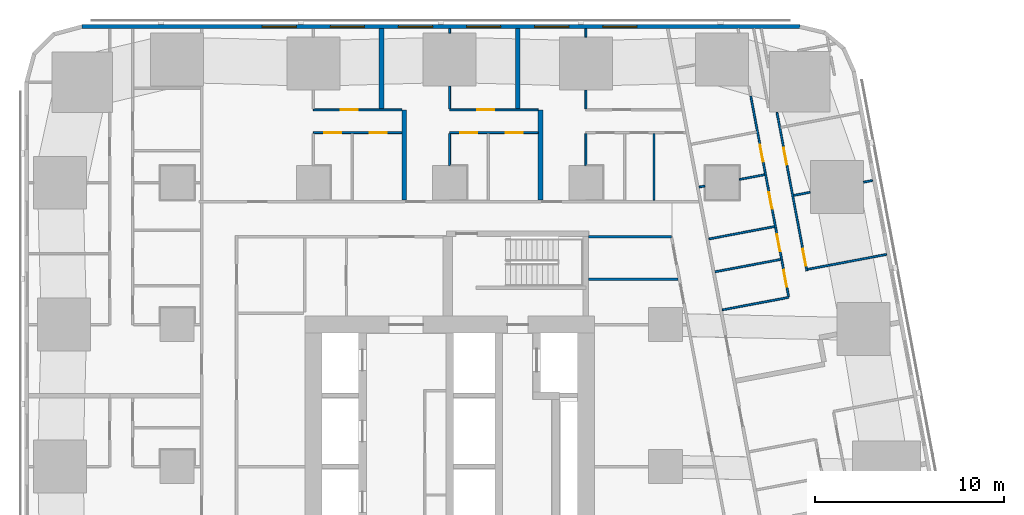
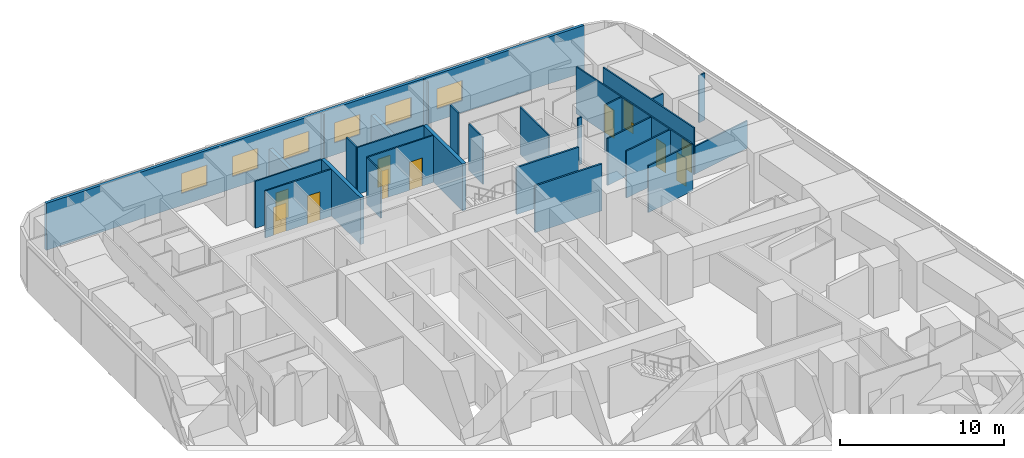
# One storey, part 9 of 15: 28 walls, 12 doors, 6 windows, 18 openings.
"""IFC4 building model written with IfcOpenShell, lengths in metres."""

from ifc_helpers import new_model, si_unit, direction, frame, frame_2d, origin, place, context, subcontext, project, spatial, rectangle, extrude, material, layer, layer_set, type_object, element, fill, save


model = new_model("IFC4")

# Units and contexts
model_context = context("Model", 3, precision=1e-05, world=origin(), true_north=direction((0.0, 1.0)))
body_context = subcontext(model_context, "Body", "Model", "MODEL_VIEW")
ifc_project = project(units=[si_unit("LENGTHUNIT", "METRE"), si_unit("AREAUNIT", "SQUARE_METRE"), si_unit("VOLUMEUNIT", "CUBIC_METRE"), si_unit("PLANEANGLEUNIT", "RADIAN"), si_unit("MASSUNIT", "GRAM", prefix="KILO")], contexts=[model_context])

# Site, building, storey
site_placement = place(None, origin())
site = spatial("IfcSite", under=ifc_project, at=site_placement, CompositionType="ELEMENT")
building_placement = place(site_placement, origin())
building = spatial("IfcBuilding", under=site, at=building_placement, Name="Sheger Commons Tower", CompositionType="ELEMENT")
storey_placement = place(building_placement, frame((0.0, 0.0, 65.0)))
storey = spatial("IfcBuildingStorey", under=building, at=storey_placement, Name="L16", CompositionType="ELEMENT", Elevation=65.0)

# Walls
ifc_material_1 = material(Name="Dense concrete block masonry, plastered both sides (separating wall between flats)", Category="masonry")
ifc_layer_1 = layer(ifc_material_1, 0.25)
ifc_layer_set_1 = layer_set([ifc_layer_1], Name="DEMISING WALL 250")
wall_type_1 = type_object("IfcWallType", Name="DEMISING WALL 250", PredefinedType="SOLIDWALL", material=ifc_layer_set_1)
wall_1_placement = place(storey_placement, frame((18.0, 41.39990234375, 0.0), z_axis=(0.0, 0.0, 1.0), x_axis=(0.0, 1.0, 0.0)))
element("IfcWall", 1, at=wall_1_placement, inside=storey, type_object=wall_type_1, Name="Demising wall L16", PredefinedType="SOLIDWALL", context=body_context, shape_type="SweptSolid", body=[
    extrude(rectangle(XDim=4.25, YDim=0.25, at=frame_2d((2.125, 0.0))), origin(), (0.0, 0.0, 1.0), 2.050048828125),
])
wall_2_placement = place(storey_placement, frame((19.198974609375, 36.574951171875, 0.0), z_axis=(0.0, 0.0, 1.0), x_axis=(0.0, 1.0, 0.0)))
element("IfcWall", 2, at=wall_2_placement, inside=storey, type_object=wall_type_1, Name="Demising wall L16", PredefinedType="SOLIDWALL", context=body_context, shape_type="SweptSolid", body=[
    extrude(rectangle(XDim=4.775146484375, YDim=0.25, at=frame_2d((2.3876953125, 0.0))), origin(), (0.0, 0.0, 1.0), 3.5),
])
wall_3_placement = place(storey_placement, frame((25.199951171875, 41.39990234375, 0.0), z_axis=(0.0, 0.0, 1.0), x_axis=(0.0, 1.0, 0.0)))
element("IfcWall", 3, at=wall_3_placement, inside=storey, type_object=wall_type_1, Name="Demising wall L16", PredefinedType="SOLIDWALL", context=body_context, shape_type="SweptSolid", body=[
    extrude(rectangle(XDim=4.25, YDim=0.25, at=frame_2d((2.125, 0.0))), origin(), (0.0, 0.0, 1.0), 2.050048828125),
])
wall_4_placement = place(storey_placement, frame((26.39892578125, 36.574951171875, 0.0), z_axis=(0.0, 0.0, 1.0), x_axis=(0.0, 1.0, 0.0)))
element("IfcWall", 4, at=wall_4_placement, inside=storey, type_object=wall_type_1, Name="Demising wall L16", PredefinedType="SOLIDWALL", context=body_context, shape_type="SweptSolid", body=[
    extrude(rectangle(XDim=4.775146484375, YDim=0.25, at=frame_2d((2.3876953125, 0.0))), origin(), (0.0, 0.0, 1.0), 3.5),
])

# Wall, openings, windows
ifc_material_2 = material(Name="Rendered concrete block masonry, dark grey", Category="masonry")
ifc_layer_2 = layer(ifc_material_2, 0.199951171875)
ifc_layer_set_2 = layer_set([ifc_layer_2], Name="FACADE WALL 200")
wall_type_2 = type_object("IfcWallType", Name="FACADE WALL 200", PredefinedType="SOLIDWALL", material=ifc_layer_set_2)
wall_5_placement = place(storey_placement, frame((40.10595703125, 45.75, 0.0), z_axis=(0.0, 0.0, 1.0), x_axis=(-1.0, 0.0, 0.0)))
wall_5 = element("IfcWall", 5, at=wall_5_placement, inside=storey, type_object=wall_type_2, Name="Facade wall L16", PredefinedType="SOLIDWALL", context=body_context, shape_type="SweptSolid", body=[
    extrude(rectangle(XDim=37.94287109375, YDim=0.199951171875, at=frame_2d((18.971435546875, 0.0))), origin(), (0.0, 0.0, 1.0), 3.5),
])
opening_1_placement = place(wall_5_placement, frame((8.60595703125, 0.0, 0.89990234375)))
opening_1 = element("IfcOpeningElement", 6, at=opening_1_placement, cuts=wall_5, Name="Opening W2", PredefinedType="OPENING", context=body_context, shape_type="SweptSolid", body=[
    extrude(rectangle(XDim=1.800048828125, YDim=1.5, at=frame_2d((0.89990234375, 0.75))), frame((0.0, 0.10986328125, 0.0), z_axis=(0.0, -1.0, 0.0), x_axis=(1.0, 0.0, 0.0)), (0.0, 0.0, 1.0), 0.219970703125),
])
opening_2_placement = place(wall_5_placement, frame((12.2060546875, 0.0, 0.89990234375)))
opening_2 = element("IfcOpeningElement", 7, at=opening_2_placement, cuts=wall_5, Name="Opening W2", PredefinedType="OPENING", context=body_context, shape_type="SweptSolid", body=[
    extrude(rectangle(XDim=1.800048828125, YDim=1.5, at=frame_2d((0.89990234375, 0.75))), frame((0.0, 0.10986328125, 0.0), z_axis=(0.0, -1.0, 0.0), x_axis=(1.0, 0.0, 0.0)), (0.0, 0.0, 1.0), 0.219970703125),
])
opening_3_placement = place(wall_5_placement, frame((15.805908203125, 0.0, 0.89990234375)))
opening_3 = element("IfcOpeningElement", 8, at=opening_3_placement, cuts=wall_5, Name="Opening W2", PredefinedType="OPENING", context=body_context, shape_type="SweptSolid", body=[
    extrude(rectangle(XDim=1.800048828125, YDim=1.5, at=frame_2d((0.89990234375, 0.75))), frame((0.0, 0.10986328125, 0.0), z_axis=(0.0, -1.0, 0.0), x_axis=(1.0, 0.0, 0.0)), (0.0, 0.0, 1.0), 0.219970703125),
])
opening_4_placement = place(wall_5_placement, frame((19.406005859375, 0.0, 0.89990234375)))
opening_4 = element("IfcOpeningElement", 9, at=opening_4_placement, cuts=wall_5, Name="Opening W2", PredefinedType="OPENING", context=body_context, shape_type="SweptSolid", body=[
    extrude(rectangle(XDim=1.800048828125, YDim=1.5, at=frame_2d((0.89990234375, 0.75))), frame((0.0, 0.10986328125, 0.0), z_axis=(0.0, -1.0, 0.0), x_axis=(1.0, 0.0, 0.0)), (0.0, 0.0, 1.0), 0.219970703125),
])
opening_5_placement = place(wall_5_placement, frame((23.006103515625, 0.0, 0.89990234375)))
opening_5 = element("IfcOpeningElement", 10, at=opening_5_placement, cuts=wall_5, Name="Opening W2", PredefinedType="OPENING", context=body_context, shape_type="SweptSolid", body=[
    extrude(rectangle(XDim=1.800048828125, YDim=1.5, at=frame_2d((0.89990234375, 0.75))), frame((0.0, 0.10986328125, 0.0), z_axis=(0.0, -1.0, 0.0), x_axis=(1.0, 0.0, 0.0)), (0.0, 0.0, 1.0), 0.219970703125),
])
opening_6_placement = place(wall_5_placement, frame((26.60595703125, 0.0, 0.89990234375)))
opening_6 = element("IfcOpeningElement", 11, at=opening_6_placement, cuts=wall_5, Name="Opening W2", PredefinedType="OPENING", context=body_context, shape_type="SweptSolid", body=[
    extrude(rectangle(XDim=1.800048828125, YDim=1.5, at=frame_2d((0.89990234375, 0.75))), frame((0.0, 0.10986328125, 0.0), z_axis=(0.0, -1.0, 0.0), x_axis=(1.0, 0.0, 0.0)), (0.0, 0.0, 1.0), 0.219970703125),
])
ifc_material_3 = material(Name="Black aluminium frame, dark tinted double glazing", Category="aluminium")
window_type = type_object("IfcWindowType", Name="WINDOW W2 1800x1500", PartitioningType="SINGLE_PANEL", PredefinedType="WINDOW", material=ifc_material_3)
window_1_placement = place(opening_1_placement, origin())
window_1 = element("IfcWindow", 12, at=window_1_placement, inside=storey, type_object=window_type, Name="Window W2 1800X1500", OverallHeight=1.5, OverallWidth=1.800048828125, PartitioningType="SINGLE_PANEL", PredefinedType="WINDOW", context=body_context, shape_type="SweptSolid", body=[
    extrude(rectangle(XDim=1.800048828125, YDim=1.5, at=frame_2d((0.89990234375, 0.75))), frame((0.0, 0.030029296875, 0.0), z_axis=(0.0, -1.0, 0.0), x_axis=(1.0, 0.0, 0.0)), (0.0, 0.0, 1.0), 0.06005859375),
])
fill(opening_1, window_1)
window_2_placement = place(opening_2_placement, origin())
window_2 = element("IfcWindow", 13, at=window_2_placement, inside=storey, type_object=window_type, Name="Window W2 1800X1500", OverallHeight=1.5, OverallWidth=1.800048828125, PartitioningType="SINGLE_PANEL", PredefinedType="WINDOW", context=body_context, shape_type="SweptSolid", body=[
    extrude(rectangle(XDim=1.800048828125, YDim=1.5, at=frame_2d((0.89990234375, 0.75))), frame((0.0, 0.030029296875, 0.0), z_axis=(0.0, -1.0, 0.0), x_axis=(1.0, 0.0, 0.0)), (0.0, 0.0, 1.0), 0.06005859375),
])
fill(opening_2, window_2)
window_3_placement = place(opening_3_placement, origin())
window_3 = element("IfcWindow", 14, at=window_3_placement, inside=storey, type_object=window_type, Name="Window W2 1800X1500", OverallHeight=1.5, OverallWidth=1.800048828125, PartitioningType="SINGLE_PANEL", PredefinedType="WINDOW", context=body_context, shape_type="SweptSolid", body=[
    extrude(rectangle(XDim=1.800048828125, YDim=1.5, at=frame_2d((0.89990234375, 0.75))), frame((0.0, 0.030029296875, 0.0), z_axis=(0.0, -1.0, 0.0), x_axis=(1.0, 0.0, 0.0)), (0.0, 0.0, 1.0), 0.06005859375),
])
fill(opening_3, window_3)
window_4_placement = place(opening_4_placement, origin())
window_4 = element("IfcWindow", 15, at=window_4_placement, inside=storey, type_object=window_type, Name="Window W2 1800X1500", OverallHeight=1.5, OverallWidth=1.800048828125, PartitioningType="SINGLE_PANEL", PredefinedType="WINDOW", context=body_context, shape_type="SweptSolid", body=[
    extrude(rectangle(XDim=1.800048828125, YDim=1.5, at=frame_2d((0.89990234375, 0.75))), frame((0.0, 0.030029296875, 0.0), z_axis=(0.0, -1.0, 0.0), x_axis=(1.0, 0.0, 0.0)), (0.0, 0.0, 1.0), 0.06005859375),
])
fill(opening_4, window_4)
window_5_placement = place(opening_5_placement, origin())
window_5 = element("IfcWindow", 16, at=window_5_placement, inside=storey, type_object=window_type, Name="Window W2 1800X1500", OverallHeight=1.5, OverallWidth=1.800048828125, PartitioningType="SINGLE_PANEL", PredefinedType="WINDOW", context=body_context, shape_type="SweptSolid", body=[
    extrude(rectangle(XDim=1.800048828125, YDim=1.5, at=frame_2d((0.89990234375, 0.75))), frame((0.0, 0.030029296875, 0.0), z_axis=(0.0, -1.0, 0.0), x_axis=(1.0, 0.0, 0.0)), (0.0, 0.0, 1.0), 0.06005859375),
])
fill(opening_5, window_5)
window_6_placement = place(opening_6_placement, origin())
window_6 = element("IfcWindow", 17, at=window_6_placement, inside=storey, type_object=window_type, Name="Window W2 1800X1500", OverallHeight=1.5, OverallWidth=1.800048828125, PartitioningType="SINGLE_PANEL", PredefinedType="WINDOW", context=body_context, shape_type="SweptSolid", body=[
    extrude(rectangle(XDim=1.800048828125, YDim=1.5, at=frame_2d((0.89990234375, 0.75))), frame((0.0, 0.030029296875, 0.0), z_axis=(0.0, -1.0, 0.0), x_axis=(1.0, 0.0, 0.0)), (0.0, 0.0, 1.0), 0.06005859375),
])
fill(opening_6, window_6)

# Wall, openings, doors
ifc_material_4 = material(Name="Gypsum board on steel studs", Category="steel")
ifc_layer_3 = layer(ifc_material_4, 0.10009765625)
ifc_layer_set_3 = layer_set([ifc_layer_3], Name="PARTITION 100")
wall_type_3 = type_object("IfcWallType", Name="PARTITION 100", PredefinedType="PARTITIONING", material=ifc_layer_set_3)
wall_6_placement = place(storey_placement, frame((38.89990234375, 41.219970703125, 0.0), z_axis=(0.0, 0.0, 1.0), x_axis=(0.185595712897, -0.982626191059, 0.0)))
wall_6 = element("IfcWall", 18, at=wall_6_placement, inside=storey, type_object=wall_type_3, Name="Partition L16", PredefinedType="PARTITIONING", context=body_context, shape_type="SweptSolid", body=[
    extrude(rectangle(XDim=8.524169921875, YDim=0.10009765625, at=frame_2d((4.26220703125, 0.0))), origin(), (0.0, 0.0, 1.0), 3.5),
])
opening_7_placement = place(wall_6_placement, frame((7.35205078125, 0.0, 0.0)))
opening_7 = element("IfcOpeningElement", 19, at=opening_7_placement, cuts=wall_6, Name="Opening D2", PredefinedType="OPENING", context=body_context, shape_type="SweptSolid", body=[
    extrude(rectangle(XDim=0.89990234375, YDim=2.10009765625, at=frame_2d((0.449951171875, 1.050048828125))), frame((0.0, 0.06005859375, 0.0), z_axis=(0.0, -1.0, 0.0), x_axis=(1.0, 0.0, 0.0)), (0.0, 0.0, 1.0), 0.1201171875),
])
opening_8_placement = place(wall_6_placement, frame((1.89990234375, 0.0, 0.0)))
opening_8 = element("IfcOpeningElement", 20, at=opening_8_placement, cuts=wall_6, Name="Opening D2", PredefinedType="OPENING", context=body_context, shape_type="SweptSolid", body=[
    extrude(rectangle(XDim=0.89990234375, YDim=2.10009765625, at=frame_2d((0.449951171875, 1.050048828125))), frame((0.0, 0.06005859375, 0.0), z_axis=(0.0, -1.0, 0.0), x_axis=(1.0, 0.0, 0.0)), (0.0, 0.0, 1.0), 0.1201171875),
])
ifc_material_5 = material(Name="Timber door set", Category="wood")
door_type = type_object("IfcDoorType", Name="INTERNAL DOOR 900x2100", OperationType="NOTDEFINED", PredefinedType="DOOR", material=ifc_material_5)
door_1_placement = place(opening_7_placement, origin())
door_1 = element("IfcDoor", 21, at=door_1_placement, inside=storey, type_object=door_type, Name="Main bedroom door", OperationType="SINGLE_SWING_RIGHT", OverallHeight=2.10009765625, OverallWidth=0.89990234375, PredefinedType="DOOR", context=body_context, shape_type="SweptSolid", body=[
    extrude(rectangle(XDim=0.89990234375, YDim=2.10009765625, at=frame_2d((0.449951171875, 1.050048828125))), frame((0.0, 0.02490234375, 0.0), z_axis=(0.0, -1.0, 0.0), x_axis=(1.0, 0.0, 0.0)), (0.0, 0.0, 1.0), 0.050048828125),
])
fill(opening_7, door_1)
door_2_placement = place(opening_8_placement, origin())
door_2 = element("IfcDoor", 22, at=door_2_placement, inside=storey, type_object=door_type, Name="Bedroom 2 door", OperationType="SINGLE_SWING_LEFT", OverallHeight=2.10009765625, OverallWidth=0.89990234375, PredefinedType="DOOR", context=body_context, shape_type="SweptSolid", body=[
    extrude(rectangle(XDim=0.89990234375, YDim=2.10009765625, at=frame_2d((0.449951171875, 1.050048828125))), frame((0.0, 0.02490234375, 0.0), z_axis=(0.0, -1.0, 0.0), x_axis=(1.0, 0.0, 0.0)), (0.0, 0.0, 1.0), 0.050048828125),
])
fill(opening_8, door_2)

wall_7_placement = place(storey_placement, frame((37.514892578125, 42.089111328125, 0.0), z_axis=(0.0, 0.0, 1.0), x_axis=(0.185565000991, -0.982631991341, 0.0)))
wall_7 = element("IfcWall", 23, at=wall_7_placement, inside=storey, type_object=wall_type_3, Name="Partition L16", PredefinedType="PARTITIONING", context=body_context, shape_type="SweptSolid", body=[
    extrude(rectangle(XDim=10.784423828125, YDim=0.10009765625, at=frame_2d((5.39208984375, 0.0))), origin(), (0.0, 0.0, 1.0), 3.5),
])
opening_9_placement = place(wall_7_placement, frame((9.35791015625, 0.0, 0.0)))
opening_9 = element("IfcOpeningElement", 24, at=opening_9_placement, cuts=wall_7, Name="Opening D2", PredefinedType="OPENING", context=body_context, shape_type="SweptSolid", body=[
    extrude(rectangle(XDim=0.89990234375, YDim=2.10009765625, at=frame_2d((0.449951171875, 1.050048828125))), frame((0.0, 0.06005859375, 0.0), z_axis=(0.0, -1.0, 0.0), x_axis=(1.0, 0.0, 0.0)), (0.0, 0.0, 1.0), 0.1201171875),
])
opening_10_placement = place(wall_7_placement, frame((5.173095703125, 0.0, 0.0)))
opening_10 = element("IfcOpeningElement", 25, at=opening_10_placement, cuts=wall_7, Name="Opening D2", PredefinedType="OPENING", context=body_context, shape_type="SweptSolid", body=[
    extrude(rectangle(XDim=0.89990234375, YDim=2.10009765625, at=frame_2d((0.449951171875, 1.050048828125))), frame((0.0, 0.06005859375, 0.0), z_axis=(0.0, -1.0, 0.0), x_axis=(1.0, 0.0, 0.0)), (0.0, 0.0, 1.0), 0.1201171875),
])
opening_11_placement = place(wall_7_placement, frame((2.62890625, 0.0, 0.0)))
opening_11 = element("IfcOpeningElement", 26, at=opening_11_placement, cuts=wall_7, Name="Opening D2", PredefinedType="OPENING", context=body_context, shape_type="SweptSolid", body=[
    extrude(rectangle(XDim=0.89990234375, YDim=2.10009765625, at=frame_2d((0.449951171875, 1.050048828125))), frame((0.0, 0.06005859375, 0.0), z_axis=(0.0, -1.0, 0.0), x_axis=(1.0, 0.0, 0.0)), (0.0, 0.0, 1.0), 0.1201171875),
])
opening_12_placement = place(wall_7_placement, frame((7.450927734375, 0.0, 0.0)))
opening_12 = element("IfcOpeningElement", 27, at=opening_12_placement, cuts=wall_7, Name="Opening D2", PredefinedType="OPENING", context=body_context, shape_type="SweptSolid", body=[
    extrude(rectangle(XDim=0.89990234375, YDim=2.10009765625, at=frame_2d((0.449951171875, 1.050048828125))), frame((0.0, 0.06005859375, 0.0), z_axis=(0.0, -1.0, 0.0), x_axis=(1.0, 0.0, 0.0)), (0.0, 0.0, 1.0), 0.1201171875),
])
door_3_placement = place(opening_9_placement, origin())
door_3 = element("IfcDoor", 28, at=door_3_placement, inside=storey, type_object=door_type, Name="Bathroom door", OperationType="SINGLE_SWING_LEFT", OverallHeight=2.10009765625, OverallWidth=0.89990234375, PredefinedType="DOOR", context=body_context, shape_type="SweptSolid", body=[
    extrude(rectangle(XDim=0.89990234375, YDim=2.10009765625, at=frame_2d((0.449951171875, 1.050048828125))), frame((0.0, 0.02490234375, 0.0), z_axis=(0.0, -1.0, 0.0), x_axis=(1.0, 0.0, 0.0)), (0.0, 0.0, 1.0), 0.050048828125),
])
fill(opening_9, door_3)
door_4_placement = place(opening_10_placement, origin())
door_4 = element("IfcDoor", 29, at=door_4_placement, inside=storey, type_object=door_type, Name="Store and laundry door", OperationType="SINGLE_SWING_RIGHT", OverallHeight=2.10009765625, OverallWidth=0.89990234375, PredefinedType="DOOR", context=body_context, shape_type="SweptSolid", body=[
    extrude(rectangle(XDim=0.89990234375, YDim=2.10009765625, at=frame_2d((0.449951171875, 1.050048828125))), frame((0.0, 0.02490234375, 0.0), z_axis=(0.0, -1.0, 0.0), x_axis=(1.0, 0.0, 0.0)), (0.0, 0.0, 1.0), 0.050048828125),
])
fill(opening_10, door_4)
door_5_placement = place(opening_11_placement, origin())
door_5 = element("IfcDoor", 30, at=door_5_placement, inside=storey, type_object=door_type, Name="Laundry room door", OperationType="SINGLE_SWING_RIGHT", OverallHeight=2.10009765625, OverallWidth=0.89990234375, PredefinedType="DOOR", context=body_context, shape_type="SweptSolid", body=[
    extrude(rectangle(XDim=0.89990234375, YDim=2.10009765625, at=frame_2d((0.449951171875, 1.050048828125))), frame((0.0, 0.02490234375, 0.0), z_axis=(0.0, -1.0, 0.0), x_axis=(1.0, 0.0, 0.0)), (0.0, 0.0, 1.0), 0.050048828125),
])
fill(opening_11, door_5)
door_6_placement = place(opening_12_placement, origin())
door_6 = element("IfcDoor", 31, at=door_6_placement, inside=storey, type_object=door_type, Name="Store door", OperationType="SINGLE_SWING_LEFT", OverallHeight=2.10009765625, OverallWidth=0.89990234375, PredefinedType="DOOR", context=body_context, shape_type="SweptSolid", body=[
    extrude(rectangle(XDim=0.89990234375, YDim=2.10009765625, at=frame_2d((0.449951171875, 1.050048828125))), frame((0.0, 0.02490234375, 0.0), z_axis=(0.0, -1.0, 0.0), x_axis=(1.0, 0.0, 0.0)), (0.0, 0.0, 1.0), 0.050048828125),
])
fill(opening_12, door_6)

# Walls
wall_8_placement = place(storey_placement, frame((43.955078125, 37.6201171875, 0.0), z_axis=(0.0, 0.0, 1.0), x_axis=(-0.982543152073, -0.186034820164, 0.0)))
element("IfcWall", 32, at=wall_8_placement, inside=storey, type_object=wall_type_3, Name="Partition L16", PredefinedType="PARTITIONING", context=body_context, shape_type="SweptSolid", body=[
    extrude(rectangle(XDim=0.489501953125, YDim=0.10009765625, at=frame_2d((0.24462890625, 0.0))), origin(), (0.0, 0.0, 1.0), 3.5),
])
wall_9_placement = place(storey_placement, frame((40.654052734375, 36.99609375, 0.0), z_axis=(0.0, 0.0, 1.0), x_axis=(-0.982635224332, -0.185547880349, 0.0)))
element("IfcWall", 33, at=wall_9_placement, inside=storey, type_object=wall_type_3, Name="Partition L16", PredefinedType="PARTITIONING", context=body_context, shape_type="SweptSolid", body=[
    extrude(rectangle(XDim=0.889404296875, YDim=0.10009765625, at=frame_2d((0.44482421875, 0.0))), origin(), (0.0, 0.0, 1.0), 3.5),
])
wall_10_placement = place(storey_placement, frame((44.693115234375, 33.712890625, 0.0), z_axis=(0.0, 0.0, 1.0), x_axis=(-0.982615600536, -0.185651775062, 0.0)))
element("IfcWall", 34, at=wall_10_placement, inside=storey, type_object=wall_type_3, Name="Partition L16", PredefinedType="PARTITIONING", context=body_context, shape_type="SweptSolid", body=[
    extrude(rectangle(XDim=4.2490234375, YDim=0.10009765625, at=frame_2d((2.12451171875, 0.0))), origin(), (0.0, 0.0, 1.0), 2.050048828125),
])
wall_11_placement = place(storey_placement, frame((38.25, 37.925048828125, 0.0), z_axis=(0.0, 0.0, 1.0), x_axis=(-0.982650574676, -0.185466568658, 0.0)))
element("IfcWall", 35, at=wall_11_placement, inside=storey, type_object=wall_type_3, Name="Partition L16", PredefinedType="PARTITIONING", context=body_context, shape_type="SweptSolid", body=[
    extrude(rectangle(XDim=1.36376953125, YDim=0.10009765625, at=frame_2d((0.681884765625, 0.0))), origin(), (0.0, 0.0, 1.0), 3.5),
])
wall_12_placement = place(storey_placement, frame((35.090087890625, 37.327880859375, 0.0), z_axis=(0.0, 0.0, 1.0), x_axis=(-0.982961380226, -0.183812200315, 0.0)))
element("IfcWall", 36, at=wall_12_placement, inside=storey, type_object=wall_type_3, Name="Partition L16", PredefinedType="PARTITIONING", context=body_context, shape_type="SweptSolid", body=[
    extrude(rectangle(XDim=0.3095703125, YDim=0.10009765625, at=frame_2d((0.15478515625, 0.0))), origin(), (0.0, 0.0, 1.0), 3.5),
])
wall_13_placement = place(storey_placement, frame((39.52490234375, 31.443115234375, 0.0), z_axis=(0.0, 0.0, 1.0), x_axis=(-0.982648035033, -0.185480023848, 0.0)))
element("IfcWall", 37, at=wall_13_placement, inside=storey, type_object=wall_type_3, Name="Partition L16", PredefinedType="PARTITIONING", context=body_context, shape_type="SweptSolid", body=[
    extrude(rectangle(XDim=3.574951171875, YDim=0.10009765625, at=frame_2d((1.78759765625, 0.0))), origin(), (0.0, 0.0, 1.0), 3.5),
])
wall_14_placement = place(storey_placement, frame((38.76708984375, 35.18408203125, 0.0), z_axis=(0.0, 0.0, 1.0), x_axis=(-0.982578451485, -0.185848289414, 0.0)))
element("IfcWall", 38, at=wall_14_placement, inside=storey, type_object=wall_type_3, Name="Partition L16", PredefinedType="PARTITIONING", context=body_context, shape_type="SweptSolid", body=[
    extrude(rectangle(XDim=3.524658203125, YDim=0.10009765625, at=frame_2d((1.76220703125, 0.0))), origin(), (0.0, 0.0, 1.0), 3.5),
])
wall_15_placement = place(storey_placement, frame((39.094970703125, 33.447998046875, 0.0), z_axis=(0.0, 0.0, 1.0), x_axis=(-0.982626628545, -0.185593396635, 0.0)))
element("IfcWall", 39, at=wall_15_placement, inside=storey, type_object=wall_type_3, Name="Partition L16", PredefinedType="PARTITIONING", context=body_context, shape_type="SweptSolid", body=[
    extrude(rectangle(XDim=3.524169921875, YDim=0.10009765625, at=frame_2d((1.76220703125, 0.0))), origin(), (0.0, 0.0, 1.0), 3.5),
])

# Wall, opening, door
wall_16_placement = place(storey_placement, frame((14.39990234375, 41.35009765625, 0.0), z_axis=(0.0, 0.0, 1.0), x_axis=(1.0, 0.0, 0.0)))
wall_16 = element("IfcWall", 40, at=wall_16_placement, inside=storey, type_object=wall_type_3, Name="Partition L16", PredefinedType="PARTITIONING", context=body_context, shape_type="SweptSolid", body=[
    extrude(rectangle(XDim=4.674072265625, YDim=0.10009765625, at=frame_2d((2.3369140625, 0.0))), origin(), (0.0, 0.0, 1.0), 3.5),
])
opening_13_placement = place(wall_16_placement, frame((1.449951171875, 0.0, 0.0)))
opening_13 = element("IfcOpeningElement", 41, at=opening_13_placement, cuts=wall_16, Name="Opening D2", PredefinedType="OPENING", context=body_context, shape_type="SweptSolid", body=[
    extrude(rectangle(XDim=0.89990234375, YDim=2.10009765625, at=frame_2d((0.449951171875, 1.050048828125))), frame((0.0, 0.06005859375, 0.0), z_axis=(0.0, -1.0, 0.0), x_axis=(1.0, 0.0, 0.0)), (0.0, 0.0, 1.0), 0.1201171875),
])
door_7_placement = place(opening_13_placement, origin())
door_7 = element("IfcDoor", 42, at=door_7_placement, inside=storey, type_object=door_type, Name="Main bedroom door", OperationType="SINGLE_SWING_LEFT", OverallHeight=2.10009765625, OverallWidth=0.89990234375, PredefinedType="DOOR", context=body_context, shape_type="SweptSolid", body=[
    extrude(rectangle(XDim=0.89990234375, YDim=2.10009765625, at=frame_2d((0.449951171875, 1.050048828125))), frame((0.0, 0.02490234375, 0.0), z_axis=(0.0, -1.0, 0.0), x_axis=(1.0, 0.0, 0.0)), (0.0, 0.0, 1.0), 0.050048828125),
])
fill(opening_13, door_7)

# Wall, openings, doors
wall_17_placement = place(storey_placement, frame((14.39990234375, 40.14990234375, 0.0), z_axis=(0.0, 0.0, 1.0), x_axis=(1.0, 0.0, 0.0)))
wall_17 = element("IfcWall", 43, at=wall_17_placement, inside=storey, type_object=wall_type_3, Name="Partition L16", PredefinedType="PARTITIONING", context=body_context, shape_type="SweptSolid", body=[
    extrude(rectangle(XDim=4.674072265625, YDim=0.10009765625, at=frame_2d((2.3369140625, 0.0))), origin(), (0.0, 0.0, 1.0), 3.5),
])
opening_14_placement = place(wall_17_placement, frame((0.574951171875, 0.0, 0.0)))
opening_14 = element("IfcOpeningElement", 44, at=opening_14_placement, cuts=wall_17, Name="Opening D2", PredefinedType="OPENING", context=body_context, shape_type="SweptSolid", body=[
    extrude(rectangle(XDim=0.89990234375, YDim=2.10009765625, at=frame_2d((0.449951171875, 1.050048828125))), frame((0.0, 0.06005859375, 0.0), z_axis=(0.0, -1.0, 0.0), x_axis=(1.0, 0.0, 0.0)), (0.0, 0.0, 1.0), 0.1201171875),
])
opening_15_placement = place(wall_17_placement, frame((2.97509765625, 0.0, 0.0)))
opening_15 = element("IfcOpeningElement", 45, at=opening_15_placement, cuts=wall_17, Name="Opening D2", PredefinedType="OPENING", context=body_context, shape_type="SweptSolid", body=[
    extrude(rectangle(XDim=0.89990234375, YDim=2.10009765625, at=frame_2d((0.449951171875, 1.050048828125))), frame((0.0, 0.06005859375, 0.0), z_axis=(0.0, -1.0, 0.0), x_axis=(1.0, 0.0, 0.0)), (0.0, 0.0, 1.0), 0.1201171875),
])
door_8_placement = place(opening_14_placement, origin())
door_8 = element("IfcDoor", 46, at=door_8_placement, inside=storey, type_object=door_type, Name="Bathroom door", OperationType="SINGLE_SWING_RIGHT", OverallHeight=2.10009765625, OverallWidth=0.89990234375, PredefinedType="DOOR", context=body_context, shape_type="SweptSolid", body=[
    extrude(rectangle(XDim=0.89990234375, YDim=2.10009765625, at=frame_2d((0.449951171875, 1.050048828125))), frame((0.0, 0.02490234375, 0.0), z_axis=(0.0, -1.0, 0.0), x_axis=(1.0, 0.0, 0.0)), (0.0, 0.0, 1.0), 0.050048828125),
])
fill(opening_14, door_8)
door_9_placement = place(opening_15_placement, origin())
door_9 = element("IfcDoor", 47, at=door_9_placement, inside=storey, type_object=door_type, Name="Store door", OperationType="SINGLE_SWING_LEFT", OverallHeight=2.10009765625, OverallWidth=0.89990234375, PredefinedType="DOOR", context=body_context, shape_type="SweptSolid", body=[
    extrude(rectangle(XDim=0.89990234375, YDim=2.10009765625, at=frame_2d((0.449951171875, 1.050048828125))), frame((0.0, 0.02490234375, 0.0), z_axis=(0.0, -1.0, 0.0), x_axis=(1.0, 0.0, 0.0)), (0.0, 0.0, 1.0), 0.050048828125),
])
fill(opening_15, door_9)

# Wall, opening, door
wall_18_placement = place(storey_placement, frame((21.60009765625, 41.35009765625, 0.0), z_axis=(0.0, 0.0, 1.0), x_axis=(1.0, 0.0, 0.0)))
wall_18 = element("IfcWall", 48, at=wall_18_placement, inside=storey, type_object=wall_type_3, Name="Partition L16", PredefinedType="PARTITIONING", context=body_context, shape_type="SweptSolid", body=[
    extrude(rectangle(XDim=4.673828125, YDim=0.10009765625, at=frame_2d((2.3369140625, 0.0))), origin(), (0.0, 0.0, 1.0), 3.5),
])
opening_16_placement = place(wall_18_placement, frame((1.449951171875, 0.0, 0.0)))
opening_16 = element("IfcOpeningElement", 49, at=opening_16_placement, cuts=wall_18, Name="Opening D2", PredefinedType="OPENING", context=body_context, shape_type="SweptSolid", body=[
    extrude(rectangle(XDim=0.89990234375, YDim=2.10009765625, at=frame_2d((0.449951171875, 1.050048828125))), frame((0.0, 0.06005859375, 0.0), z_axis=(0.0, -1.0, 0.0), x_axis=(1.0, 0.0, 0.0)), (0.0, 0.0, 1.0), 0.1201171875),
])
door_10_placement = place(opening_16_placement, origin())
door_10 = element("IfcDoor", 50, at=door_10_placement, inside=storey, type_object=door_type, Name="Main bedroom door", OperationType="SINGLE_SWING_LEFT", OverallHeight=2.10009765625, OverallWidth=0.89990234375, PredefinedType="DOOR", context=body_context, shape_type="SweptSolid", body=[
    extrude(rectangle(XDim=0.89990234375, YDim=2.10009765625, at=frame_2d((0.449951171875, 1.050048828125))), frame((0.0, 0.02490234375, 0.0), z_axis=(0.0, -1.0, 0.0), x_axis=(1.0, 0.0, 0.0)), (0.0, 0.0, 1.0), 0.050048828125),
])
fill(opening_16, door_10)

# Wall, openings, doors
wall_19_placement = place(storey_placement, frame((21.60009765625, 40.14990234375, 0.0), z_axis=(0.0, 0.0, 1.0), x_axis=(1.0, 0.0, 0.0)))
wall_19 = element("IfcWall", 51, at=wall_19_placement, inside=storey, type_object=wall_type_3, Name="Partition L16", PredefinedType="PARTITIONING", context=body_context, shape_type="SweptSolid", body=[
    extrude(rectangle(XDim=4.673828125, YDim=0.10009765625, at=frame_2d((2.3369140625, 0.0))), origin(), (0.0, 0.0, 1.0), 3.5),
])
opening_17_placement = place(wall_19_placement, frame((0.574951171875, 0.0, 0.0)))
opening_17 = element("IfcOpeningElement", 52, at=opening_17_placement, cuts=wall_19, Name="Opening D2", PredefinedType="OPENING", context=body_context, shape_type="SweptSolid", body=[
    extrude(rectangle(XDim=0.89990234375, YDim=2.10009765625, at=frame_2d((0.449951171875, 1.050048828125))), frame((0.0, 0.06005859375, 0.0), z_axis=(0.0, -1.0, 0.0), x_axis=(1.0, 0.0, 0.0)), (0.0, 0.0, 1.0), 0.1201171875),
])
opening_18_placement = place(wall_19_placement, frame((2.97412109375, 0.0, 0.0)))
opening_18 = element("IfcOpeningElement", 53, at=opening_18_placement, cuts=wall_19, Name="Opening D2", PredefinedType="OPENING", context=body_context, shape_type="SweptSolid", body=[
    extrude(rectangle(XDim=0.89990234375, YDim=2.10009765625, at=frame_2d((0.449951171875, 1.050048828125))), frame((0.0, 0.06005859375, 0.0), z_axis=(0.0, -1.0, 0.0), x_axis=(1.0, 0.0, 0.0)), (0.0, 0.0, 1.0), 0.1201171875),
])
door_11_placement = place(opening_17_placement, origin())
door_11 = element("IfcDoor", 54, at=door_11_placement, inside=storey, type_object=door_type, Name="Bathroom door", OperationType="SINGLE_SWING_RIGHT", OverallHeight=2.10009765625, OverallWidth=0.89990234375, PredefinedType="DOOR", context=body_context, shape_type="SweptSolid", body=[
    extrude(rectangle(XDim=0.89990234375, YDim=2.10009765625, at=frame_2d((0.449951171875, 1.050048828125))), frame((0.0, 0.02490234375, 0.0), z_axis=(0.0, -1.0, 0.0), x_axis=(1.0, 0.0, 0.0)), (0.0, 0.0, 1.0), 0.050048828125),
])
fill(opening_17, door_11)
door_12_placement = place(opening_18_placement, origin())
door_12 = element("IfcDoor", 55, at=door_12_placement, inside=storey, type_object=door_type, Name="Store door", OperationType="SINGLE_SWING_LEFT", OverallHeight=2.10009765625, OverallWidth=0.89990234375, PredefinedType="DOOR", context=body_context, shape_type="SweptSolid", body=[
    extrude(rectangle(XDim=0.89990234375, YDim=2.10009765625, at=frame_2d((0.449951171875, 1.050048828125))), frame((0.0, 0.02490234375, 0.0), z_axis=(0.0, -1.0, 0.0), x_axis=(1.0, 0.0, 0.0)), (0.0, 0.0, 1.0), 0.050048828125),
])
fill(opening_18, door_12)

# Walls
wall_20_placement = place(storey_placement, frame((21.60009765625, 41.39990234375, 0.0), z_axis=(0.0, 0.0, 1.0), x_axis=(0.0, 1.0, 0.0)))
element("IfcWall", 56, at=wall_20_placement, inside=storey, type_object=wall_type_3, Name="Partition L16", PredefinedType="PARTITIONING", context=body_context, shape_type="SweptSolid", body=[
    extrude(rectangle(XDim=1.19921875, YDim=0.10009765625, at=frame_2d((0.599609375, 0.0))), origin(), (0.0, 0.0, 1.0), 3.5),
])
wall_21_placement = place(storey_placement, frame((21.60009765625, 45.40087890625, 0.0), z_axis=(0.0, 0.0, 1.0), x_axis=(0.0, 1.0, 0.0)))
element("IfcWall", 57, at=wall_21_placement, inside=storey, type_object=wall_type_3, Name="Partition L16", PredefinedType="PARTITIONING", context=body_context, shape_type="SweptSolid", body=[
    extrude(rectangle(XDim=0.2490234375, YDim=0.10009765625, at=frame_2d((0.12451171875, 0.0))), origin(), (0.0, 0.0, 1.0), 3.5),
])
wall_22_placement = place(storey_placement, frame((21.60009765625, 38.40087890625, 0.0), z_axis=(0.0, 0.0, 1.0), x_axis=(0.0, 1.0, 0.0)))
element("IfcWall", 58, at=wall_22_placement, inside=storey, type_object=wall_type_3, Name="Partition L16", PredefinedType="PARTITIONING", context=body_context, shape_type="SweptSolid", body=[
    extrude(rectangle(XDim=1.69921875, YDim=0.10009765625, at=frame_2d((0.849609375, 0.0))), origin(), (0.0, 0.0, 1.0), 3.5),
])
wall_23_placement = place(storey_placement, frame((28.800048828125, 41.39990234375, 0.0), z_axis=(0.0, 0.0, 1.0), x_axis=(0.0, 1.0, 0.0)))
element("IfcWall", 59, at=wall_23_placement, inside=storey, type_object=wall_type_3, Name="Partition L16", PredefinedType="PARTITIONING", context=body_context, shape_type="SweptSolid", body=[
    extrude(rectangle(XDim=0.9990234375, YDim=0.10009765625, at=frame_2d((0.49951171875, 0.0))), origin(), (0.0, 0.0, 1.0), 3.5),
])
wall_24_placement = place(storey_placement, frame((28.800048828125, 45.200927734375, 0.0), z_axis=(0.0, 0.0, 1.0), x_axis=(0.0, 1.0, 0.0)))
element("IfcWall", 60, at=wall_24_placement, inside=storey, type_object=wall_type_3, Name="Partition L16", PredefinedType="PARTITIONING", context=body_context, shape_type="SweptSolid", body=[
    extrude(rectangle(XDim=0.448974609375, YDim=0.10009765625, at=frame_2d((0.224609375, 0.0))), origin(), (0.0, 0.0, 1.0), 3.5),
])
wall_25_placement = place(storey_placement, frame((28.800048828125, 38.40087890625, 0.0), z_axis=(0.0, 0.0, 1.0), x_axis=(0.0, 1.0, 0.0)))
element("IfcWall", 61, at=wall_25_placement, inside=storey, type_object=wall_type_3, Name="Partition L16", PredefinedType="PARTITIONING", context=body_context, shape_type="SweptSolid", body=[
    extrude(rectangle(XDim=1.69921875, YDim=0.10009765625, at=frame_2d((0.849609375, 0.0))), origin(), (0.0, 0.0, 1.0), 3.5),
])
wall_26_placement = place(storey_placement, frame((32.39990234375, 36.574951171875, 0.0), z_axis=(0.0, 0.0, 1.0), x_axis=(0.0, 1.0, 0.0)))
element("IfcWall", 62, at=wall_26_placement, inside=storey, type_object=wall_type_3, Name="Partition L16", PredefinedType="PARTITIONING", context=body_context, shape_type="SweptSolid", body=[
    extrude(rectangle(XDim=3.525146484375, YDim=0.10009765625, at=frame_2d((1.7626953125, 0.0))), origin(), (0.0, 0.0, 1.0), 3.5),
])
ifc_material_6 = material(Name="Gypsum board on steel studs, two layers each side, fire rated", Category="steel")
ifc_layer_4 = layer(ifc_material_6, 0.125)
ifc_layer_set_4 = layer_set([ifc_layer_4], Name="SERVICE WALL 125")
wall_type_4 = type_object("IfcWallType", Name="SERVICE WALL 125", PredefinedType="PARTITIONING", material=ifc_layer_set_4)
wall_27_placement = place(storey_placement, frame((28.949951171875, 34.64990234375, 0.0), z_axis=(0.0, 0.0, 1.0), x_axis=(1.0, 0.0, 0.0)))
element("IfcWall", 63, at=wall_27_placement, inside=storey, type_object=wall_type_4, Name="Service room wall L16", PredefinedType="PARTITIONING", context=body_context, shape_type="SweptSolid", body=[
    extrude(rectangle(XDim=4.381103515625, YDim=0.125, at=frame_2d((2.1904296875, 0.0))), origin(), (0.0, 0.0, 1.0), 3.5),
])
wall_28_placement = place(storey_placement, frame((28.949951171875, 32.39990234375, 0.0), z_axis=(0.0, 0.0, 1.0), x_axis=(1.0, 0.0, 0.0)))
element("IfcWall", 64, at=wall_28_placement, inside=storey, type_object=wall_type_4, Name="Service room wall L16", PredefinedType="PARTITIONING", context=body_context, shape_type="SweptSolid", body=[
    extrude(rectangle(XDim=4.72216796875, YDim=0.125, at=frame_2d((2.361083984375, 0.0))), origin(), (0.0, 0.0, 1.0), 3.5),
])

save(model, "model.ifc")
